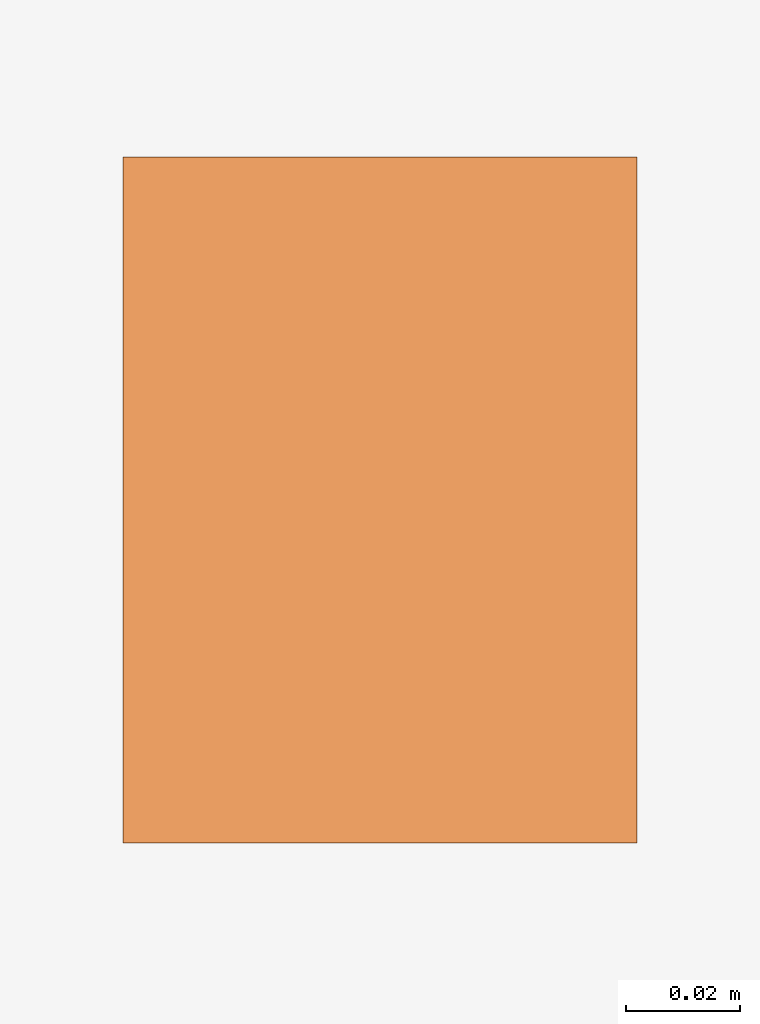
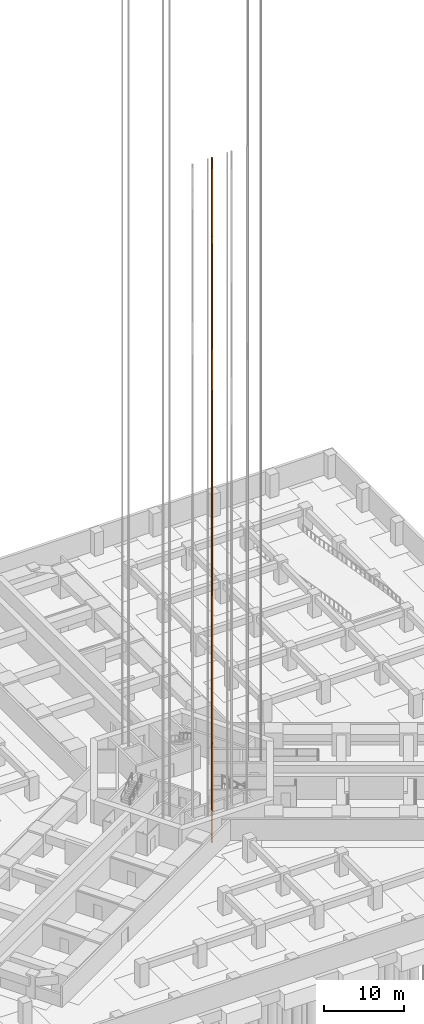
# One storey, part 66 of 73: 1 proxy.
"""IFC4 building model written with IfcOpenShell, lengths in metres."""

from ifc_helpers import new_model, si_unit, direction, frame, origin, origin_2d, place, context, subcontext, project, spatial, rectangle, extrude, material, type_object, element, save


model = new_model("IFC4")

# Units and contexts
model_context = context("Model", 3, precision=1e-05, world=origin(), true_north=direction((0.0, 1.0)))
body_context = subcontext(model_context, "Body", "Model", "MODEL_VIEW")
ifc_project = project(units=[si_unit("LENGTHUNIT", "METRE"), si_unit("AREAUNIT", "SQUARE_METRE"), si_unit("VOLUMEUNIT", "CUBIC_METRE"), si_unit("PLANEANGLEUNIT", "RADIAN"), si_unit("MASSUNIT", "GRAM", prefix="KILO")], contexts=[model_context])

# Site, building, storey
site_placement = place(None, origin())
site = spatial("IfcSite", under=ifc_project, at=site_placement, CompositionType="ELEMENT")
building_placement = place(site_placement, origin())
building = spatial("IfcBuilding", under=site, at=building_placement, Name="Impinga Residences", CompositionType="ELEMENT")
storey_placement = place(building_placement, frame((0.0, 0.0, -10.5)))
storey = spatial("IfcBuildingStorey", under=building, at=storey_placement, Name="B3", CompositionType="ELEMENT", Elevation=-10.5)

# Proxy
ifc_material = material(Name="Steel lift guide rail, galvanised", Category="steel")
building_element_proxy_type = type_object("IfcBuildingElementProxyType", Name="LGR lift guide rail", PredefinedType="USERDEFINED", material=ifc_material)
proxy_placement = place(storey_placement, frame((-1.10498046875, -9.381591796875, -1.60009765625), z_axis=(0.0, 0.0, 1.0), x_axis=(1.0, 0.0, 0.0)))
element("IfcBuildingElementProxy", 1, at=proxy_placement, inside=storey, type_object=building_element_proxy_type, Name="Guide rail P2 1", ObjectType="Lift guide rail", PredefinedType="USERDEFINED", context=body_context, shape_type="SweptSolid", body=[
    extrude(rectangle(XDim=0.090087890625, YDim=0.1201171875, at=origin_2d()), origin(), (0.0, 0.0, 1.0), 104.25),
])

save(model, "model.ifc")
